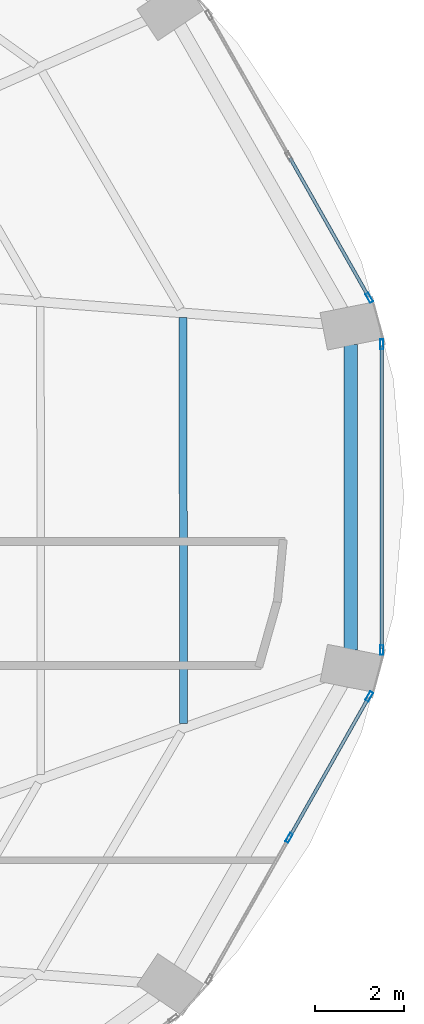
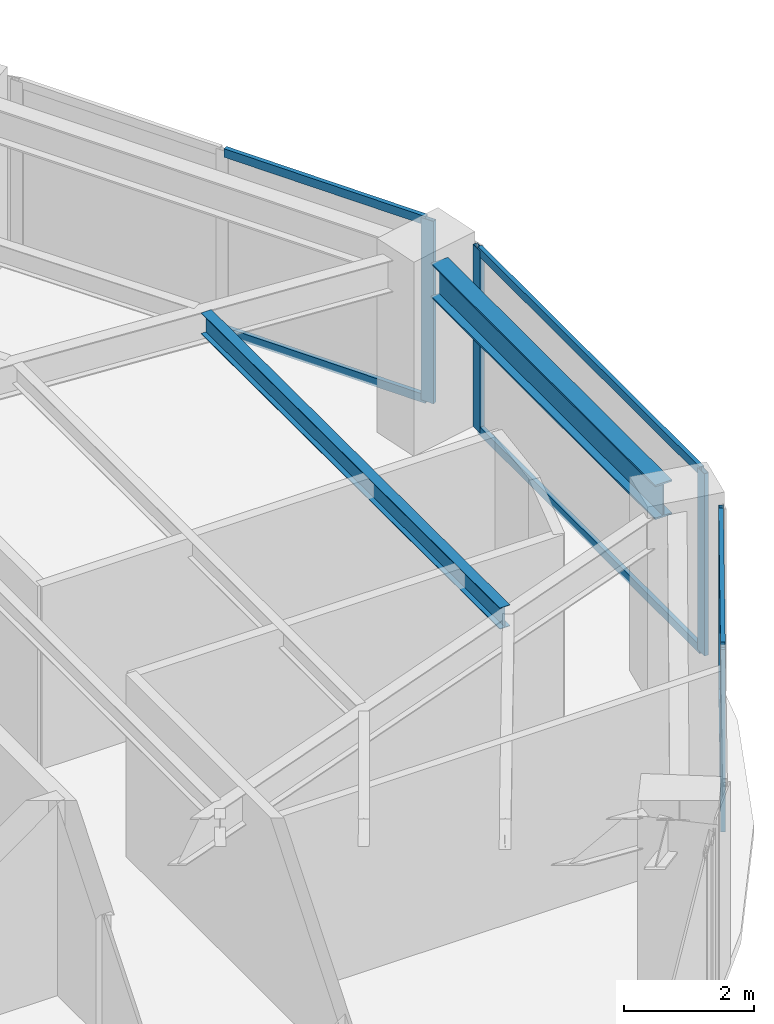
# One storey, part 12 of 24: 11 members, 2 beams, 3 elements without a shape of their own.
"""IFC4 building model written with IfcOpenShell, lengths in metres."""

from ifc_helpers import new_model, si_unit, direction, frame, origin, origin_2d, place, context, subcontext, project, spatial, hollow_rectangle, i_section, extrude, material, layer, layer_set, material_profile, profile_set, type_object, element, aggregate, save


model = new_model("IFC4")

# Units and contexts
model_context = context("Model", 3, precision=1e-05, world=origin(), true_north=direction((0.0, 1.0)))
body_context = subcontext(model_context, "Body", "Model", "MODEL_VIEW")
ifc_project = project(units=[si_unit("LENGTHUNIT", "METRE"), si_unit("AREAUNIT", "SQUARE_METRE"), si_unit("VOLUMEUNIT", "CUBIC_METRE"), si_unit("PLANEANGLEUNIT", "RADIAN"), si_unit("MASSUNIT", "GRAM", prefix="KILO")], contexts=[model_context])

# Site, building, storey
site_placement = place(None, origin())
site = spatial("IfcSite", under=ifc_project, at=site_placement, CompositionType="ELEMENT")
building_placement = place(site_placement, origin())
building = spatial("IfcBuilding", under=site, at=building_placement, Name="Lazwardi Medical Tower", CompositionType="ELEMENT")
storey_placement = place(building_placement, frame((0.0, 0.0, 36.14404296875)))
storey = spatial("IfcBuildingStorey", under=building, at=storey_placement, Name="L08", CompositionType="ELEMENT", Elevation=36.14404296875)

# Beams
ifc_material_1 = material(Name="Steel S355", Category="steel")
ifc_material_profile_1 = material_profile(ifc_material_1, i_section(OverallWidth=0.300048828125, OverallDepth=0.64990234375, WebThickness=0.01611328125, FlangeThickness=0.031005859375, at=origin_2d()), Name="HEB 650")
ifc_profile_set_1 = profile_set([ifc_material_profile_1], Name="Steel S355")
beam_type_1 = type_object("IfcBeamType", Name="BM-RB-Z1", PredefinedType="BEAM", material=ifc_profile_set_1)
beam_1_placement = place(storey_placement, frame((62.800048828125, 26.952392578125, 3.10302734375), z_axis=(0.0, 1.0, 0.0), x_axis=(-1.0, 0.0, 0.0)))
element("IfcBeam", 1, at=beam_1_placement, inside=storey, type_object=beam_type_1, Name="Ring beam RB-02 B04 L08", PredefinedType="BEAM", context=body_context, shape_type="SweptSolid", body=[
    extrude(i_section(OverallWidth=0.300048828125, OverallDepth=0.64990234375, WebThickness=0.01611328125, FlangeThickness=0.031005859375, at=origin_2d()), origin(), (0.0, 0.0, 1.0), 6.895263671875),
])
ifc_material_profile_2 = material_profile(ifc_material_1, i_section(OverallWidth=0.179931640625, OverallDepth=0.39990234375, WebThickness=0.008544921875, FlangeThickness=0.013427734375, at=origin_2d()), Name="IPE 400")
ifc_profile_set_2 = profile_set([ifc_material_profile_2], Name="Steel S355")
beam_type_2 = type_object("IfcBeamType", Name="BM-SJ-01", PredefinedType="JOIST", material=ifc_profile_set_2)
beam_2_placement = place(storey_placement, frame((59.0234375, 25.291015625, 3.22802734375), z_axis=(-0.002077613181, 0.999997841759, 0.0), x_axis=(-0.999997841759, -0.002077613181, 0.0)))
element("IfcBeam", 2, at=beam_2_placement, inside=storey, type_object=beam_type_2, Name="Secondary joist SJ-01 R1 B04 L08", PredefinedType="JOIST", context=body_context, shape_type="SweptSolid", body=[
    extrude(i_section(OverallWidth=0.179931640625, OverallDepth=0.39990234375, WebThickness=0.008544921875, FlangeThickness=0.013427734375, at=origin_2d()), origin(), (0.0, 0.0, 1.0), 9.165771484375),
])

# Curtain wall, members
ifc_material_2 = material(Name="Anodised bronze aluminium and solar control glazing", Category="aluminium")
ifc_layer = layer(ifc_material_2, 0.199951171875)
ifc_layer_set = layer_set([ifc_layer], Name="Anodised bronze aluminium and solar control glazing")
curtain_wall_type = type_object("IfcCurtainWallType", Name="CW-SYS-02", PredefinedType="NOTDEFINED", material=ifc_layer_set)
curtain_wall_1_placement = place(storey_placement, origin())
curtain_wall_1 = element("IfcCurtainWall", 3, at=curtain_wall_1_placement, inside=storey, type_object=curtain_wall_type, Name="L08 Unitised bronze curtain wall CW-02", PredefinedType="NOTDEFINED")
ifc_material_3 = material(Name="Anodised bronze aluminium", Category="aluminium")
ifc_material_profile_3 = material_profile(ifc_material_3, hollow_rectangle(XDim=0.074951171875, YDim=0.219970703125, WallThickness=0.00390625, at=origin_2d()), Name="ALU-MULLION 220x75x4")
ifc_profile_set_3 = profile_set([ifc_material_profile_3], Name="Anodised bronze aluminium")
member_type_1 = type_object("IfcMemberType", Name="CW-MUL-01", PredefinedType="MULLION", material=ifc_profile_set_3)
member_1_placement = place(storey_placement, frame((61.4052734375, 22.70458984375, 0.0), z_axis=(0.0, 0.0, 1.0), x_axis=(-0.870111838823, 0.492854327303, 0.0)))
member_1 = element("IfcMember", 4, at=member_1_placement, type_object=member_type_1, Name="CW-02 mullion 2", PredefinedType="MULLION", context=body_context, shape_type="SweptSolid", body=[
    extrude(hollow_rectangle(XDim=0.074951171875, YDim=0.219970703125, WallThickness=0.00390625, at=origin_2d()), origin(), (0.0, 0.0, 1.0), 3.427978515625),
])
member_2_placement = place(storey_placement, frame((63.214111328125, 25.897705078125, 0.0), z_axis=(0.0, 0.0, 1.0), x_axis=(-0.870111838823, 0.492854327303, 0.0)))
member_2 = element("IfcMember", 5, at=member_2_placement, type_object=member_type_1, Name="CW-02 mullion 3", PredefinedType="MULLION", context=body_context, shape_type="SweptSolid", body=[
    extrude(hollow_rectangle(XDim=0.074951171875, YDim=0.219970703125, WallThickness=0.00390625, at=origin_2d()), origin(), (0.0, 0.0, 1.0), 3.427978515625),
])

curtain_wall_2_placement = place(storey_placement, origin())
curtain_wall_2 = element("IfcCurtainWall", 6, at=curtain_wall_2_placement, inside=storey, type_object=curtain_wall_type, Name="L08 Unitised bronze curtain wall CW-02", PredefinedType="NOTDEFINED")
member_3_placement = place(storey_placement, frame((63.49853515625, 26.946044921875, 0.0), z_axis=(0.0, 0.0, 1.0), x_axis=(-1.0, 0.0, 0.0)))
member_3 = element("IfcMember", 7, at=member_3_placement, type_object=member_type_1, Name="CW-02 mullion 1", PredefinedType="MULLION", context=body_context, shape_type="SweptSolid", body=[
    extrude(hollow_rectangle(XDim=0.074951171875, YDim=0.219970703125, WallThickness=0.00390625, at=origin_2d()), origin(), (0.0, 0.0, 1.0), 3.427978515625),
])
member_4_placement = place(storey_placement, frame((63.49853515625, 33.85400390625, 0.0), z_axis=(0.0, 0.0, 1.0), x_axis=(-1.0, 0.0, 0.0)))
member_4 = element("IfcMember", 8, at=member_4_placement, type_object=member_type_1, Name="CW-02 mullion 2", PredefinedType="MULLION", context=body_context, shape_type="SweptSolid", body=[
    extrude(hollow_rectangle(XDim=0.074951171875, YDim=0.219970703125, WallThickness=0.00390625, at=origin_2d()), origin(), (0.0, 0.0, 1.0), 3.427978515625),
])

# Curtain wall, member
curtain_wall_3_placement = place(storey_placement, origin())
curtain_wall_3 = element("IfcCurtainWall", 9, at=curtain_wall_3_placement, inside=storey, type_object=curtain_wall_type, Name="L08 Unitised bronze curtain wall CW-02", PredefinedType="NOTDEFINED")
member_5_placement = place(storey_placement, frame((63.214111328125, 34.90234375, 0.0), z_axis=(0.0, 0.0, 1.0), x_axis=(-0.870111838823, -0.492854327303, 0.0)))
member_5 = element("IfcMember", 10, at=member_5_placement, type_object=member_type_1, Name="CW-02 mullion 1", PredefinedType="MULLION", context=body_context, shape_type="SweptSolid", body=[
    extrude(hollow_rectangle(XDim=0.074951171875, YDim=0.219970703125, WallThickness=0.00390625, at=origin_2d()), origin(), (0.0, 0.0, 1.0), 3.427978515625),
])

# Member
ifc_material_profile_4 = material_profile(ifc_material_3, hollow_rectangle(XDim=0.074951171875, YDim=0.159912109375, WallThickness=0.00390625, at=origin_2d()), Name="ALU-TRANSOM 160x75x4")
ifc_profile_set_4 = profile_set([ifc_material_profile_4], Name="Anodised bronze aluminium")
member_type_2 = type_object("IfcMemberType", Name="CW-TRN-01", PredefinedType="USERDEFINED", material=ifc_profile_set_4)
member_6_placement = place(storey_placement, frame((61.423828125, 22.737060546875, 0.037353515625), z_axis=(0.49285148925, 0.870113446365, 0.0), x_axis=(-0.870113446365, 0.49285148925, 0.0)))
member_6 = element("IfcMember", 11, at=member_6_placement, type_object=member_type_2, Name="CW-02 transom 2.1", ObjectType="TRANSOM", PredefinedType="USERDEFINED", context=body_context, shape_type="SweptSolid", body=[
    extrude(hollow_rectangle(XDim=0.074951171875, YDim=0.159912109375, WallThickness=0.00390625, at=origin_2d()), origin(), (0.0, 0.0, 1.0), 3.594970703125),
])

member_7_placement = place(storey_placement, frame((61.423828125, 22.737060546875, 3.390380859375), z_axis=(0.49285148925, 0.870113446365, 0.0), x_axis=(-0.870113446365, 0.49285148925, 0.0)))
member_7 = element("IfcMember", 12, at=member_7_placement, type_object=member_type_2, Name="CW-02 transom 2.2", ObjectType="TRANSOM", PredefinedType="USERDEFINED", context=body_context, shape_type="SweptSolid", body=[
    extrude(hollow_rectangle(XDim=0.074951171875, YDim=0.159912109375, WallThickness=0.00390625, at=origin_2d()), origin(), (0.0, 0.0, 1.0), 3.594970703125),
])

aggregate(curtain_wall_1, [member_1, member_2, member_6, member_7])

member_8_placement = place(storey_placement, frame((63.49853515625, 26.9833984375, 0.037353515625), z_axis=(0.0, 1.0, 0.0), x_axis=(-1.0, 0.0, 0.0)))
member_8 = element("IfcMember", 13, at=member_8_placement, type_object=member_type_2, Name="CW-02 transom 1.1", ObjectType="TRANSOM", PredefinedType="USERDEFINED", context=body_context, shape_type="SweptSolid", body=[
    extrude(hollow_rectangle(XDim=0.074951171875, YDim=0.159912109375, WallThickness=0.00390625, at=origin_2d()), origin(), (0.0, 0.0, 1.0), 6.8330078125),
])

member_9_placement = place(storey_placement, frame((63.49853515625, 26.9833984375, 3.390380859375), z_axis=(0.0, 1.0, 0.0), x_axis=(-1.0, 0.0, 0.0)))
member_9 = element("IfcMember", 14, at=member_9_placement, type_object=member_type_2, Name="CW-02 transom 1.2", ObjectType="TRANSOM", PredefinedType="USERDEFINED", context=body_context, shape_type="SweptSolid", body=[
    extrude(hollow_rectangle(XDim=0.074951171875, YDim=0.159912109375, WallThickness=0.00390625, at=origin_2d()), origin(), (0.0, 0.0, 1.0), 6.8330078125),
])

aggregate(curtain_wall_2, [member_3, member_4, member_8, member_9])

member_10_placement = place(storey_placement, frame((63.195556640625, 34.93505859375, 0.037353515625), z_axis=(-0.492880614687, 0.870096948429, 0.0), x_axis=(-0.870096948429, -0.492880614687, 0.0)))
member_10 = element("IfcMember", 15, at=member_10_placement, type_object=member_type_2, Name="CW-02 transom 1.1", ObjectType="TRANSOM", PredefinedType="USERDEFINED", context=body_context, shape_type="SweptSolid", body=[
    extrude(hollow_rectangle(XDim=0.074951171875, YDim=0.159912109375, WallThickness=0.00390625, at=origin_2d()), origin(), (0.0, 0.0, 1.0), 3.5947265625),
])

member_11_placement = place(storey_placement, frame((63.195556640625, 34.93505859375, 3.390380859375), z_axis=(-0.492880614687, 0.870096948429, 0.0), x_axis=(-0.870096948429, -0.492880614687, 0.0)))
member_11 = element("IfcMember", 16, at=member_11_placement, type_object=member_type_2, Name="CW-02 transom 1.2", ObjectType="TRANSOM", PredefinedType="USERDEFINED", context=body_context, shape_type="SweptSolid", body=[
    extrude(hollow_rectangle(XDim=0.074951171875, YDim=0.159912109375, WallThickness=0.00390625, at=origin_2d()), origin(), (0.0, 0.0, 1.0), 3.5947265625),
])

aggregate(curtain_wall_3, [member_5, member_10, member_11])

save(model, "model.ifc")
